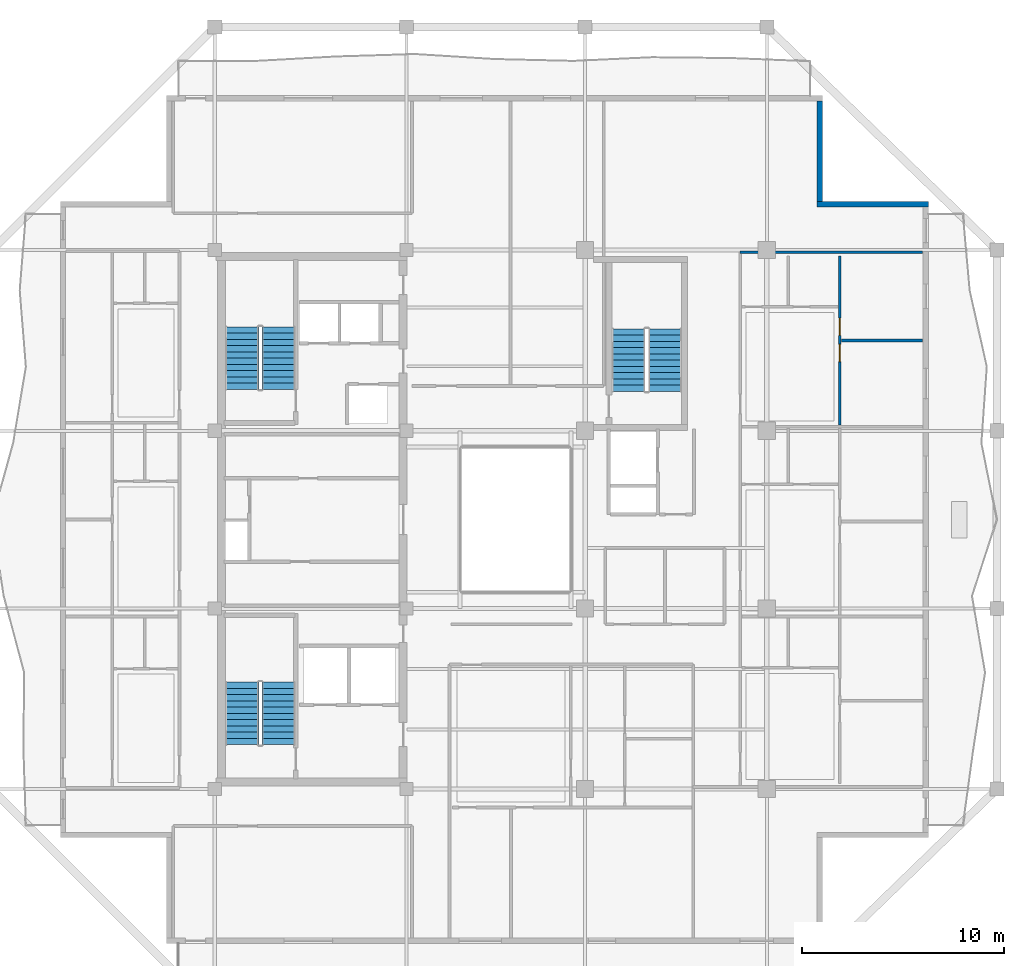
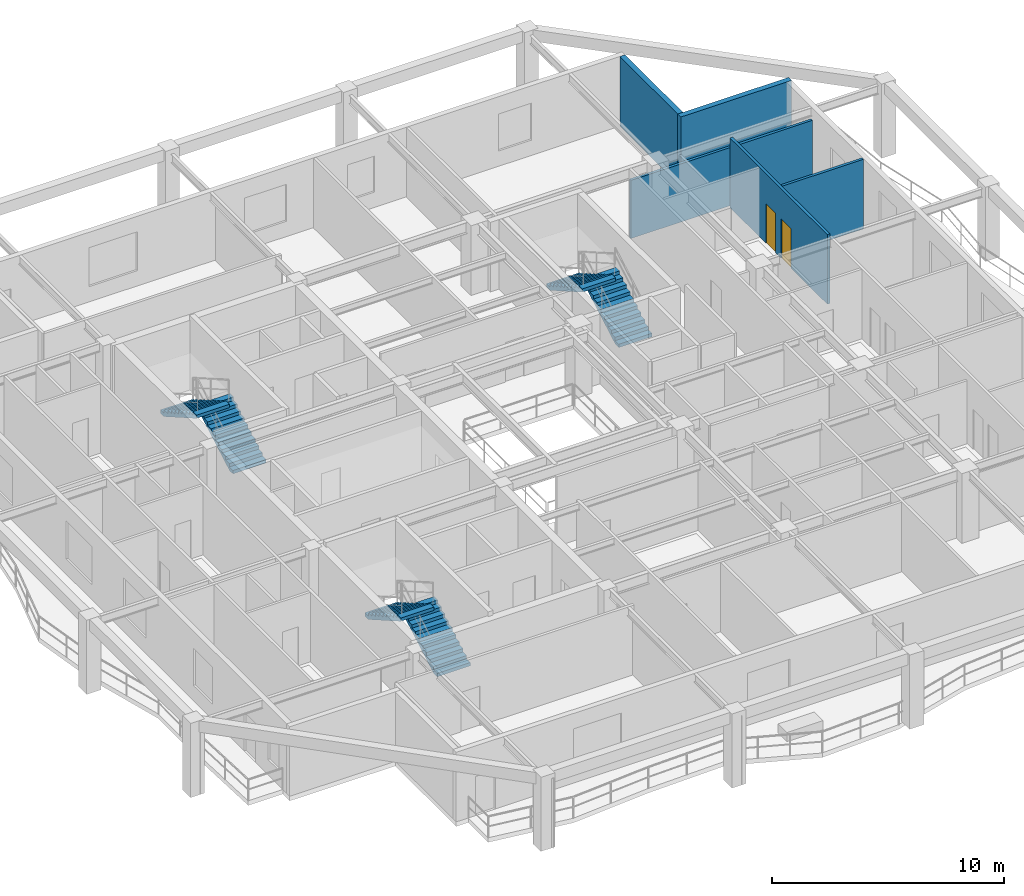
# One storey, part 7 of 12: 6 stair flights, 5 walls, 2 doors, 2 openings, 3 elements without a shape of their own.
"""IFC4 building model written with IfcOpenShell, lengths in metres."""

from ifc_helpers import new_model, si_unit, direction, frame, frame_2d, origin, place, context, subcontext, project, spatial, polyline, rectangle, outline, extrude, material, layer, layer_set, type_object, element, fill, aggregate, save


model = new_model("IFC4")

# Units and contexts
model_context = context("Model", 3, precision=1e-05, world=origin(), true_north=direction((0.0, 1.0)))
body_context = subcontext(model_context, "Body", "Model", "MODEL_VIEW")
ifc_project = project(units=[si_unit("LENGTHUNIT", "METRE"), si_unit("AREAUNIT", "SQUARE_METRE"), si_unit("VOLUMEUNIT", "CUBIC_METRE"), si_unit("PLANEANGLEUNIT", "RADIAN"), si_unit("MASSUNIT", "GRAM", prefix="KILO")], contexts=[model_context])

# Site, building, storey
site_placement = place(None, origin())
site = spatial("IfcSite", under=ifc_project, at=site_placement, CompositionType="ELEMENT")
building_placement = place(site_placement, origin())
building = spatial("IfcBuilding", under=site, at=building_placement, Name="Kundavana Baori Tower", CompositionType="ELEMENT")
storey_placement = place(building_placement, frame((0.0, 0.0, 233.60009765625)))
storey = spatial("IfcBuildingStorey", under=building, at=storey_placement, Name="L57", CompositionType="ELEMENT", Elevation=233.60009765625)

# Walls
ifc_material_1 = material(Name="Kiln-Fired Terracotta Brick-Slip Masonry on Concrete C40/50", Category="masonry")
ifc_layer_1 = layer(ifc_material_1, 0.260009765625, Name="WL-EXT-BRK-260")
ifc_layer_set_1 = layer_set([ifc_layer_1], Name="Kiln-Fired Terracotta Brick-Slip Masonry on Concrete C40/50")
wall_type_1 = type_object("IfcWallType", Name="WL-EXT-BRK-260", PredefinedType="SOLIDWALL", material=ifc_layer_set_1)
wall_1_placement = place(storey_placement, frame((50.800048828125, 44.219970703125, 0.0), z_axis=(0.0, 0.0, 1.0), x_axis=(-1.0, 0.0, 0.0)))
element("IfcWall", 1, at=wall_1_placement, inside=storey, type_object=wall_type_1, Name="L57 Exterior Insulated Facade Wall 05", PredefinedType="SOLIDWALL", context=body_context, shape_type="SweptSolid", body=[
    extrude(rectangle(XDim=5.510009765625, YDim=0.260009765625, at=frame_2d((2.7548828125, 0.0))), origin(), (0.0, 0.0, 1.0), 3.659912109375),
])
wall_2_placement = place(storey_placement, frame((45.419921875, 44.35009765625, 0.0), z_axis=(0.0, 0.0, 1.0), x_axis=(0.0, 1.0, 0.0)))
element("IfcWall", 2, at=wall_2_placement, inside=storey, type_object=wall_type_1, Name="L57 Exterior Insulated Facade Wall 06", PredefinedType="SOLIDWALL", context=body_context, shape_type="SweptSolid", body=[
    extrude(rectangle(XDim=4.989990234375, YDim=0.260009765625, at=frame_2d((2.4951171875, 0.0))), origin(), (0.0, 0.0, 1.0), 3.659912109375),
])
ifc_material_2 = material(Name="Acoustic Gypsum Plasterboard on Galvanised Steel Studs", Category="steel")
ifc_layer_2 = layer(ifc_material_2, 0.135009765625, Name="WL-PART-135")
ifc_layer_set_2 = layer_set([ifc_layer_2], Name="Acoustic Gypsum Plasterboard on Galvanised Steel Studs")
wall_type_2 = type_object("IfcWallType", Name="WL-PART-135", PredefinedType="PARTITIONING", material=ifc_layer_set_2)
wall_3_placement = place(storey_placement, frame((41.47998046875, 41.85009765625, 0.0), z_axis=(0.0, 0.0, 1.0), x_axis=(1.0, 0.0, 0.0)))
element("IfcWall", 3, at=wall_3_placement, inside=storey, type_object=wall_type_2, Name="WL-L57-REN", PredefinedType="PARTITIONING", context=body_context, shape_type="SweptSolid", body=[
    extrude(rectangle(XDim=9.0400390625, YDim=0.135009765625, at=frame_2d((4.52001953125, 0.0))), origin(), (0.0, 0.0, 1.0), 3.059814453125),
])

# Wall, openings, doors
wall_4_placement = place(storey_placement, frame((46.407958984375, 33.280029296875, 0.0), z_axis=(0.0, 0.0, 1.0), x_axis=(0.0, 1.0, 0.0)))
wall_4 = element("IfcWall", 4, at=wall_4_placement, inside=storey, type_object=wall_type_2, Name="WL-L57-E3-VT", PredefinedType="PARTITIONING", context=body_context, shape_type="SweptSolid", body=[
    extrude(rectangle(XDim=8.389892578125, YDim=0.135009765625, at=frame_2d((4.19482421875, 0.0))), origin(), (0.0, 0.0, 1.0), 3.659912109375),
])
opening_1_placement = place(wall_4_placement, frame((3.14501953125, 0.0, 0.0)))
opening_1 = element("IfcOpeningElement", 5, at=opening_1_placement, cuts=wall_4, Name="Opening ID-085", PredefinedType="OPENING", context=body_context, shape_type="SweptSolid", body=[
    extrude(rectangle(XDim=0.85009765625, YDim=2.080078125, at=frame_2d((0.425048828125, 1.0400390625))), frame((0.0, 0.07763671875, 0.0), z_axis=(0.0, -1.0, 0.0), x_axis=(1.0, 0.0, 0.0)), (0.0, 0.0, 1.0), 0.155029296875),
])
opening_2_placement = place(wall_4_placement, frame((4.445068359375, 0.0, 0.0)))
opening_2 = element("IfcOpeningElement", 6, at=opening_2_placement, cuts=wall_4, Name="Opening ID-085", PredefinedType="OPENING", context=body_context, shape_type="SweptSolid", body=[
    extrude(rectangle(XDim=0.85009765625, YDim=2.080078125, at=frame_2d((0.425048828125, 1.0400390625))), frame((0.0, 0.07763671875, 0.0), z_axis=(0.0, -1.0, 0.0), x_axis=(1.0, 0.0, 0.0)), (0.0, 0.0, 1.0), 0.155029296875),
])
ifc_material_3 = material(Name="Engineered Teak Solid-Core Timber Veneer", Category="wood")
door_type = type_object("IfcDoorType", Name="DR-INT-850", OperationType="NOTDEFINED", PredefinedType="DOOR", material=ifc_material_3)
door_1_placement = place(opening_1_placement, origin())
door_1 = element("IfcDoor", 7, at=door_1_placement, inside=storey, type_object=door_type, Name="DR-L57-E3-B1", OperationType="SINGLE_SWING_LEFT", OverallHeight=2.080078125, OverallWidth=0.85009765625, PredefinedType="DOOR", context=body_context, shape_type="SweptSolid", body=[
    extrude(rectangle(XDim=0.85009765625, YDim=2.080078125, at=frame_2d((0.425048828125, 1.0400390625))), frame((0.0, 0.02490234375, 0.0), z_axis=(0.0, -1.0, 0.0), x_axis=(1.0, 0.0, 0.0)), (0.0, 0.0, 1.0), 0.050048828125),
])
fill(opening_1, door_1)
door_2_placement = place(opening_2_placement, origin())
door_2 = element("IfcDoor", 8, at=door_2_placement, inside=storey, type_object=door_type, Name="DR-L57-E3-B2", OperationType="SINGLE_SWING_RIGHT", OverallHeight=2.080078125, OverallWidth=0.85009765625, PredefinedType="DOOR", context=body_context, shape_type="SweptSolid", body=[
    extrude(rectangle(XDim=0.85009765625, YDim=2.080078125, at=frame_2d((0.425048828125, 1.0400390625))), frame((0.0, 0.02490234375, 0.0), z_axis=(0.0, -1.0, 0.0), x_axis=(1.0, 0.0, 0.0)), (0.0, 0.0, 1.0), 0.050048828125),
])
fill(opening_2, door_2)

# Wall
wall_5_placement = place(storey_placement, frame((46.488037109375, 37.47509765625, 0.0), z_axis=(0.0, 0.0, 1.0), x_axis=(1.0, 0.0, 0.0)))
element("IfcWall", 9, at=wall_5_placement, inside=storey, type_object=wall_type_2, Name="WL-L57-E3-BDH", PredefinedType="PARTITIONING", context=body_context, shape_type="SweptSolid", body=[
    extrude(rectangle(XDim=4.031982421875, YDim=0.135009765625, at=frame_2d((2.01611328125, 0.0))), origin(), (0.0, 0.0, 1.0), 3.659912109375),
])

# Stair, stair flights
ifc_material_4 = material(Name="Concrete C40/50", Category="concrete")
stair_type = type_object("IfcStairType", Name="STR-DOG-1650", PredefinedType="HALF_TURN_STAIR", material=ifc_material_4)
stair_1_placement = place(storey_placement, origin())
stair_1 = element("IfcStair", 10, at=stair_1_placement, inside=storey, type_object=stair_type, Name="L57 Protected Exit Stair ST1", PredefinedType="HALF_TURN_STAIR")
ifc_material_5 = material(Name="Concrete C40/50", Category="concrete")
stair_flight_type = type_object("IfcStairFlightType", Name="SFL-RC-1650", PredefinedType="STRAIGHT", material=ifc_material_5)
stair_flight_1_placement = place(storey_placement, frame((18.614990234375, 17.449951171875, 0.0), z_axis=(0.0, 0.0, 1.0), x_axis=(0.0, 1.0, 0.0)))
stair_flight_1 = element("IfcStairFlight", 11, at=stair_flight_1_placement, type_object=stair_flight_type, Name="ST1 flight 1", NumberOfRisers=11, NumberOfTreads=10, PredefinedType="STRAIGHT", RiserHeight=0.177272727, TreadLength=0.31, context=body_context, shape_type="SweptSolid", body=[
    extrude(outline(polyline([(0.0, 0.0), (0.0, 0.17724609375), (0.31005859375, 0.17724609375), (0.31005859375, 0.3544921875), (0.6201171875, 0.3544921875), (0.6201171875, 0.53173828125), (0.929931640625, 0.53173828125), (0.929931640625, 0.708984375), (1.239990234375, 0.708984375), (1.239990234375, 0.886474609375), (1.550048828125, 0.886474609375), (1.550048828125, 1.063720703125), (1.860107421875, 1.063720703125), (1.860107421875, 1.240966796875), (2.169921875, 1.240966796875), (2.169921875, 1.418212890625), (2.47998046875, 1.418212890625), (2.47998046875, 1.595458984375), (2.7900390625, 1.595458984375), (2.7900390625, 1.772705078125), (3.10009765625, 1.772705078125), (3.10009765625, 1.949951171875), (3.10009765625, 1.60009765625), (0.302001953125, 0.0), (0.0, 0.0)])), frame((0.0, 0.824951171875, 0.0), z_axis=(0.0, -1.0, 0.0), x_axis=(1.0, 0.0, 0.0)), (0.0, 0.0, 1.0), 1.64990234375),
])
stair_flight_2_placement = place(storey_placement, frame((16.804931640625, 20.550048828125, 1.949951171875), z_axis=(0.0, 0.0, 1.0), x_axis=(0.0, -1.0, 0.0)))
stair_flight_2 = element("IfcStairFlight", 12, at=stair_flight_2_placement, type_object=stair_flight_type, Name="ST1 flight 2", NumberOfRisers=11, NumberOfTreads=10, PredefinedType="STRAIGHT", RiserHeight=0.177272727, TreadLength=0.31, context=body_context, shape_type="SweptSolid", body=[
    extrude(outline(polyline([(0.0, 0.0), (0.0, 0.17724609375), (0.31005859375, 0.17724609375), (0.31005859375, 0.3544921875), (0.6201171875, 0.3544921875), (0.6201171875, 0.53173828125), (0.929931640625, 0.53173828125), (0.929931640625, 0.708984375), (1.239990234375, 0.708984375), (1.239990234375, 0.886474609375), (1.550048828125, 0.886474609375), (1.550048828125, 1.063720703125), (1.860107421875, 1.063720703125), (1.860107421875, 1.240966796875), (2.169921875, 1.240966796875), (2.169921875, 1.418212890625), (2.47998046875, 1.418212890625), (2.47998046875, 1.595458984375), (2.7900390625, 1.595458984375), (2.7900390625, 1.772705078125), (3.10009765625, 1.772705078125), (3.10009765625, 1.949951171875), (3.10009765625, 1.60009765625), (0.302001953125, 0.0), (0.0, 0.0)])), frame((0.0, 0.824951171875, 0.0), z_axis=(0.0, -1.0, 0.0), x_axis=(1.0, 0.0, 0.0)), (0.0, 0.0, 1.0), 1.64990234375),
])
aggregate(stair_1, [stair_flight_1, stair_flight_2])

stair_2_placement = place(storey_placement, origin())
stair_2 = element("IfcStair", 13, at=stair_2_placement, inside=storey, type_object=stair_type, Name="L57 Protected Exit Stair ST2", PredefinedType="HALF_TURN_STAIR")
stair_flight_3_placement = place(storey_placement, frame((18.614990234375, 35.050048828125, 0.0), z_axis=(0.0, 0.0, 1.0), x_axis=(0.0, 1.0, 0.0)))
stair_flight_3 = element("IfcStairFlight", 14, at=stair_flight_3_placement, type_object=stair_flight_type, Name="ST2 flight 1", NumberOfRisers=11, NumberOfTreads=10, PredefinedType="STRAIGHT", RiserHeight=0.177272727, TreadLength=0.31, context=body_context, shape_type="SweptSolid", body=[
    extrude(outline(polyline([(0.0, 0.0), (0.0, 0.17724609375), (0.31005859375, 0.17724609375), (0.31005859375, 0.3544921875), (0.6201171875, 0.3544921875), (0.6201171875, 0.53173828125), (0.929931640625, 0.53173828125), (0.929931640625, 0.708984375), (1.239990234375, 0.708984375), (1.239990234375, 0.886474609375), (1.550048828125, 0.886474609375), (1.550048828125, 1.063720703125), (1.860107421875, 1.063720703125), (1.860107421875, 1.240966796875), (2.169921875, 1.240966796875), (2.169921875, 1.418212890625), (2.47998046875, 1.418212890625), (2.47998046875, 1.595458984375), (2.7900390625, 1.595458984375), (2.7900390625, 1.772705078125), (3.10009765625, 1.772705078125), (3.10009765625, 1.949951171875), (3.10009765625, 1.60009765625), (0.302001953125, 0.0), (0.0, 0.0)])), frame((0.0, 0.824951171875, 0.0), z_axis=(0.0, -1.0, 0.0), x_axis=(1.0, 0.0, 0.0)), (0.0, 0.0, 1.0), 1.64990234375),
])
stair_flight_4_placement = place(storey_placement, frame((16.804931640625, 38.14990234375, 1.949951171875), z_axis=(0.0, 0.0, 1.0), x_axis=(0.0, -1.0, 0.0)))
stair_flight_4 = element("IfcStairFlight", 15, at=stair_flight_4_placement, type_object=stair_flight_type, Name="ST2 flight 2", NumberOfRisers=11, NumberOfTreads=10, PredefinedType="STRAIGHT", RiserHeight=0.177272727, TreadLength=0.31, context=body_context, shape_type="SweptSolid", body=[
    extrude(outline(polyline([(0.0, 0.0), (0.0, 0.17724609375), (0.31005859375, 0.17724609375), (0.31005859375, 0.3544921875), (0.6201171875, 0.3544921875), (0.6201171875, 0.53173828125), (0.929931640625, 0.53173828125), (0.929931640625, 0.708984375), (1.239990234375, 0.708984375), (1.239990234375, 0.886474609375), (1.550048828125, 0.886474609375), (1.550048828125, 1.063720703125), (1.860107421875, 1.063720703125), (1.860107421875, 1.240966796875), (2.169921875, 1.240966796875), (2.169921875, 1.418212890625), (2.47998046875, 1.418212890625), (2.47998046875, 1.595458984375), (2.7900390625, 1.595458984375), (2.7900390625, 1.772705078125), (3.10009765625, 1.772705078125), (3.10009765625, 1.949951171875), (3.10009765625, 1.60009765625), (0.302001953125, 0.0), (0.0, 0.0)])), frame((0.0, 0.824951171875, 0.0), z_axis=(0.0, -1.0, 0.0), x_axis=(1.0, 0.0, 0.0)), (0.0, 0.0, 1.0), 1.64990234375),
])
aggregate(stair_2, [stair_flight_3, stair_flight_4])

stair_3_placement = place(storey_placement, origin())
stair_3 = element("IfcStair", 16, at=stair_3_placement, inside=storey, type_object=stair_type, Name="L57 Protected Exit Stair ST3", PredefinedType="HALF_TURN_STAIR")
stair_flight_5_placement = place(storey_placement, frame((37.7548828125, 34.949951171875, 0.0), z_axis=(0.0, 0.0, 1.0), x_axis=(0.0, 1.0, 0.0)))
stair_flight_5 = element("IfcStairFlight", 17, at=stair_flight_5_placement, type_object=stair_flight_type, Name="ST3 flight 1", NumberOfRisers=11, NumberOfTreads=10, PredefinedType="STRAIGHT", RiserHeight=0.177272727, TreadLength=0.31, context=body_context, shape_type="SweptSolid", body=[
    extrude(outline(polyline([(0.0, 0.0), (0.0, 0.17724609375), (0.31005859375, 0.17724609375), (0.31005859375, 0.3544921875), (0.6201171875, 0.3544921875), (0.6201171875, 0.53173828125), (0.929931640625, 0.53173828125), (0.929931640625, 0.708984375), (1.239990234375, 0.708984375), (1.239990234375, 0.886474609375), (1.550048828125, 0.886474609375), (1.550048828125, 1.063720703125), (1.860107421875, 1.063720703125), (1.860107421875, 1.240966796875), (2.169921875, 1.240966796875), (2.169921875, 1.418212890625), (2.47998046875, 1.418212890625), (2.47998046875, 1.595458984375), (2.7900390625, 1.595458984375), (2.7900390625, 1.772705078125), (3.10009765625, 1.772705078125), (3.10009765625, 1.949951171875), (3.10009765625, 1.60009765625), (0.302001953125, 0.0), (0.0, 0.0)])), frame((0.0, 0.824951171875, 0.0), z_axis=(0.0, -1.0, 0.0), x_axis=(1.0, 0.0, 0.0)), (0.0, 0.0, 1.0), 1.64990234375),
])
stair_flight_6_placement = place(storey_placement, frame((35.945068359375, 38.050048828125, 1.949951171875), z_axis=(0.0, 0.0, 1.0), x_axis=(0.0, -1.0, 0.0)))
stair_flight_6 = element("IfcStairFlight", 18, at=stair_flight_6_placement, type_object=stair_flight_type, Name="ST3 flight 2", NumberOfRisers=11, NumberOfTreads=10, PredefinedType="STRAIGHT", RiserHeight=0.177272727, TreadLength=0.31, context=body_context, shape_type="SweptSolid", body=[
    extrude(outline(polyline([(0.0, 0.0), (0.0, 0.17724609375), (0.31005859375, 0.17724609375), (0.31005859375, 0.3544921875), (0.6201171875, 0.3544921875), (0.6201171875, 0.53173828125), (0.929931640625, 0.53173828125), (0.929931640625, 0.708984375), (1.239990234375, 0.708984375), (1.239990234375, 0.886474609375), (1.550048828125, 0.886474609375), (1.550048828125, 1.063720703125), (1.860107421875, 1.063720703125), (1.860107421875, 1.240966796875), (2.169921875, 1.240966796875), (2.169921875, 1.418212890625), (2.47998046875, 1.418212890625), (2.47998046875, 1.595458984375), (2.7900390625, 1.595458984375), (2.7900390625, 1.772705078125), (3.10009765625, 1.772705078125), (3.10009765625, 1.949951171875), (3.10009765625, 1.60009765625), (0.302001953125, 0.0), (0.0, 0.0)])), frame((0.0, 0.824951171875, 0.0), z_axis=(0.0, -1.0, 0.0), x_axis=(1.0, 0.0, 0.0)), (0.0, 0.0, 1.0), 1.64990234375),
])
aggregate(stair_3, [stair_flight_5, stair_flight_6])

save(model, "model.ifc")
